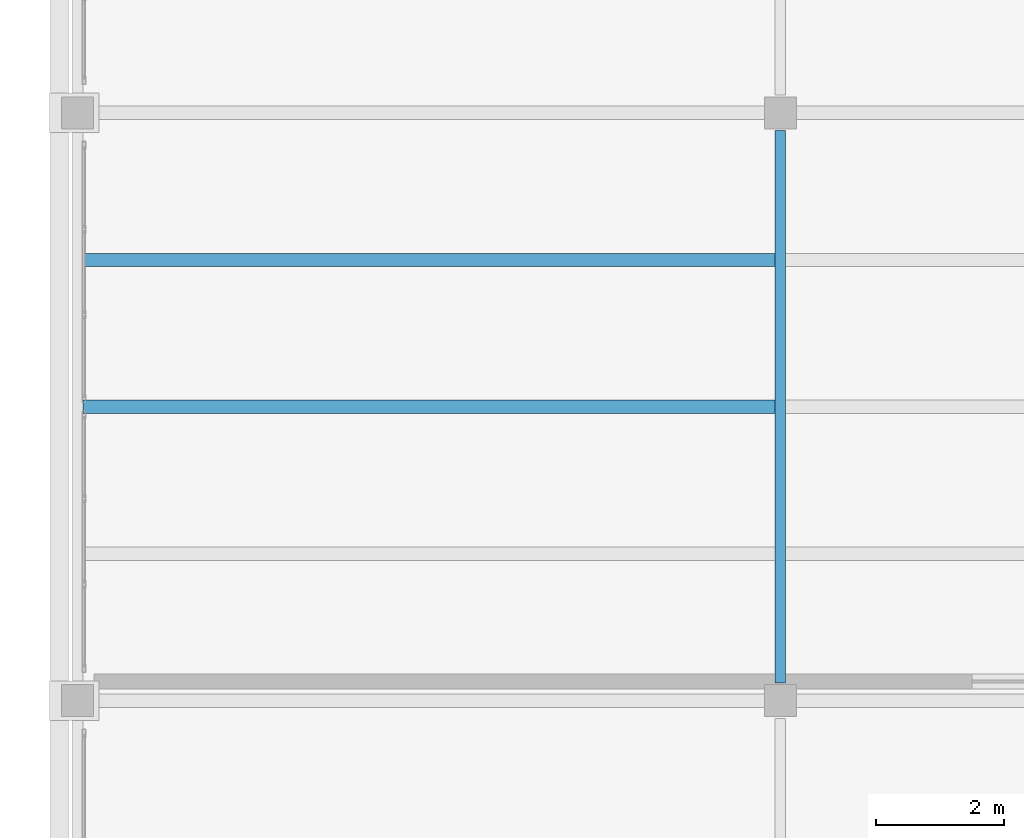
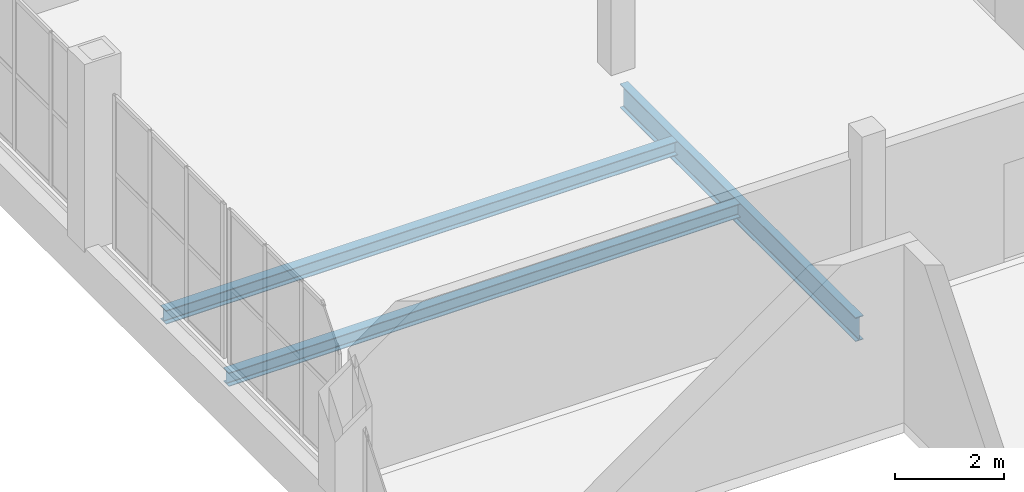
# One storey, part 11 of 26: 3 beams.
"""IFC4 building model written with IfcOpenShell, lengths in metres."""

from ifc_helpers import new_model, si_unit, direction, frame, origin, origin_2d, place, context, subcontext, project, spatial, i_section, extrude, material, material_profile, profile_set, type_object, element, save


model = new_model("IFC4")

# Units and contexts
model_context = context("Model", 3, precision=1e-05, world=origin(), true_north=direction((0.0, 1.0)))
body_context = subcontext(model_context, "Body", "Model", "MODEL_VIEW")
ifc_project = project(units=[si_unit("LENGTHUNIT", "METRE"), si_unit("AREAUNIT", "SQUARE_METRE"), si_unit("VOLUMEUNIT", "CUBIC_METRE"), si_unit("PLANEANGLEUNIT", "RADIAN"), si_unit("MASSUNIT", "GRAM", prefix="KILO")], contexts=[model_context])

# Site, building, storey
site_placement = place(None, origin())
site = spatial("IfcSite", under=ifc_project, at=site_placement, CompositionType="ELEMENT")
building_placement = place(site_placement, origin())
building = spatial("IfcBuilding", under=site, at=building_placement, Name="Caurita Quay Ferry Terminal", CompositionType="ELEMENT")
storey_placement = place(building_placement, frame((0.0, 0.0, 18.300048828125)))
storey = spatial("IfcBuildingStorey", under=building, at=storey_placement, Name="L04", CompositionType="ELEMENT", Elevation=18.300048828125)

# Beams
ifc_material = material(Name="Structural steel ASTM A992 Gr. 50", Category="steel")
ifc_material_profile_1 = material_profile(ifc_material, i_section(OverallWidth=0.20458984375, OverallDepth=0.307373046875, WebThickness=0.008544921875, FlangeThickness=0.0146484375, FilletRadius=0.0126953125, at=origin_2d()), Name="W12X45")
ifc_profile_set_1 = profile_set([ifc_material_profile_1], Name="Structural steel ASTM A992 Gr. 50")
beam_type_1 = type_object("IfcBeamType", Name="BM-JS-W12B", PredefinedType="JOIST", material=ifc_profile_set_1)
for number, where, z_axis, x_axis, name in (
    (1, (0.083251953125, 84.800048828125, -0.373779296875), (1.0, 0.0, 0.0), (0.0, 1.0, 0.0), "L04 Beam JS-V5-L04-003"),
    (2, (0.083251953125, 87.10009765625, -0.373779296875), (1.0, 0.0, 0.0), (0.0, 1.0, 0.0), "L04 Beam JS-V5-L04-004"),
):
    element("IfcBeam", number, at=place(storey_placement, frame(where, z_axis=z_axis, x_axis=x_axis)), inside=storey, type_object=beam_type_1, Name=name, PredefinedType="JOIST", context=body_context, shape_type="SweptSolid", body=[
        extrude(i_section(OverallWidth=0.20458984375, OverallDepth=0.307373046875, WebThickness=0.008544921875, FlangeThickness=0.0146484375, FilletRadius=0.0126953125, at=origin_2d()), origin(), (0.0, 0.0, 1.0), 10.83349609375),
    ])
ifc_material_profile_2 = material_profile(ifc_material, i_section(OverallWidth=0.16650390625, OverallDepth=0.535888671875, WebThickness=0.01025390625, FlangeThickness=0.0166015625, FilletRadius=0.013916015625, at=origin_2d()), Name="W21X57")
ifc_profile_set_2 = profile_set([ifc_material_profile_2], Name="Structural steel ASTM A992 Gr. 50")
beam_type_2 = type_object("IfcBeamType", Name="BM-SP-W21B", PredefinedType="SPANDREL", material=ifc_profile_set_2)
beam_placement = place(storey_placement, frame((11.0, 80.476318359375, -0.488037109375), z_axis=(0.0, 1.0, 0.0), x_axis=(-1.0, 0.0, 0.0)))
element("IfcBeam", 3, at=beam_placement, inside=storey, type_object=beam_type_2, Name="L04 Beam BM-V5-L04-Y-110-805", PredefinedType="SPANDREL", context=body_context, shape_type="SweptSolid", body=[
    extrude(i_section(OverallWidth=0.16650390625, OverallDepth=0.535888671875, WebThickness=0.01025390625, FlangeThickness=0.0166015625, FilletRadius=0.013916015625, at=origin_2d()), origin(), (0.0, 0.0, 1.0), 8.6474609375),
])

save(model, "model.ifc")
